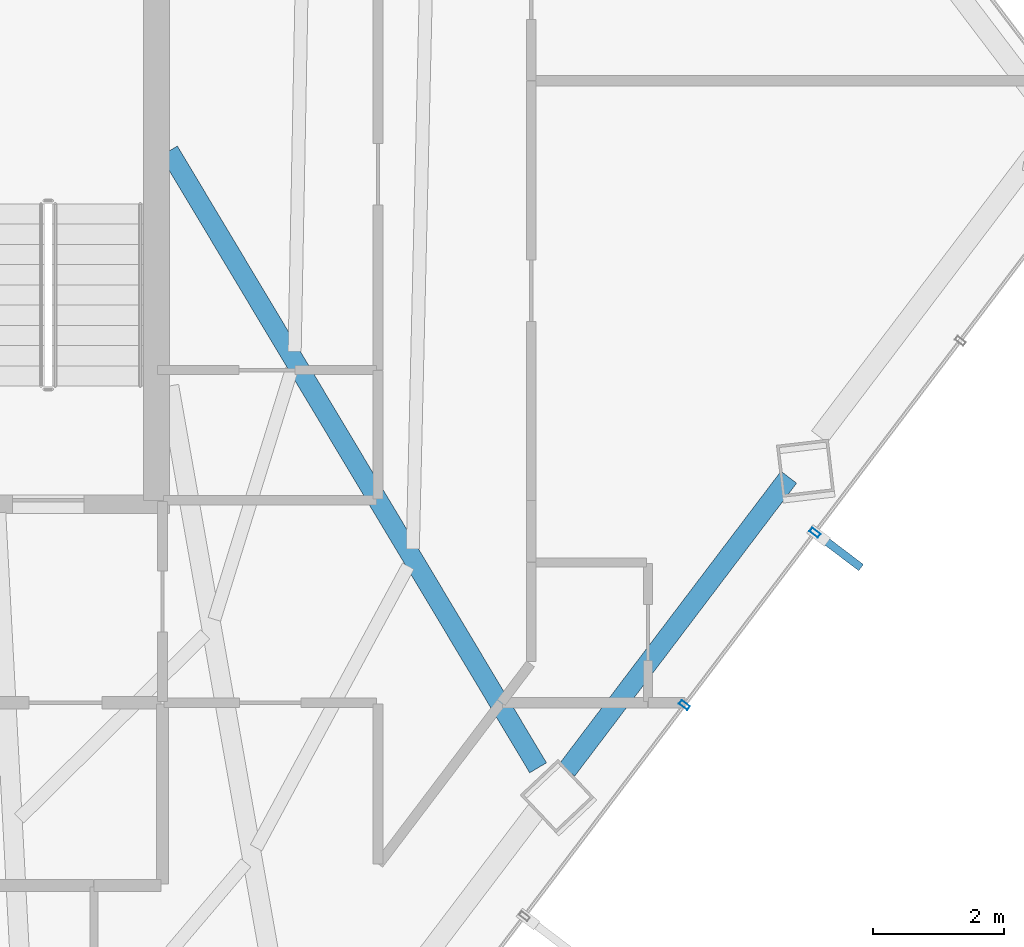
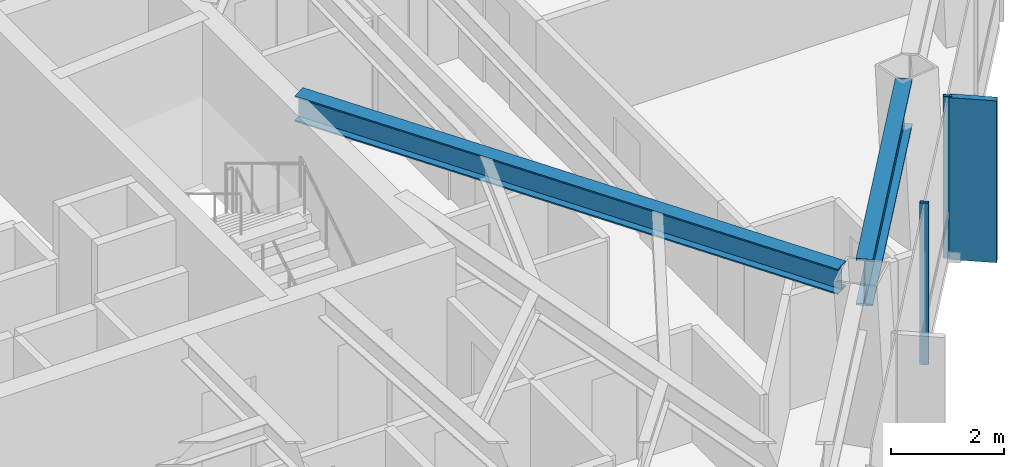
# One storey, part 21 of 30: 3 members, 2 beams, 1 element without a shape of its own.
"""IFC4 building model written with IfcOpenShell, lengths in metres."""

from ifc_helpers import new_model, si_unit, direction, frame, origin, origin_2d, place, context, subcontext, project, spatial, rectangle, hollow_rectangle, i_section, extrude, material, layer, layer_set, material_profile, profile_set, type_object, element, aggregate, save


model = new_model("IFC4")

# Units and contexts
model_context = context("Model", 3, precision=1e-05, world=origin(), true_north=direction((0.0, 1.0)))
body_context = subcontext(model_context, "Body", "Model", "MODEL_VIEW")
ifc_project = project(units=[si_unit("LENGTHUNIT", "METRE"), si_unit("AREAUNIT", "SQUARE_METRE"), si_unit("VOLUMEUNIT", "CUBIC_METRE"), si_unit("PLANEANGLEUNIT", "RADIAN"), si_unit("MASSUNIT", "GRAM", prefix="KILO")], contexts=[model_context])

# Site, building, storey
site_placement = place(None, origin())
site = spatial("IfcSite", under=ifc_project, at=site_placement, CompositionType="ELEMENT")
building_placement = place(site_placement, origin())
building = spatial("IfcBuilding", under=site, at=building_placement, Name="Zarrinselat Tower", CompositionType="ELEMENT")
storey_placement = place(building_placement, frame((0.0, 0.0, 130.89990234375)))
storey = spatial("IfcBuildingStorey", under=building, at=storey_placement, Name="L31", CompositionType="ELEMENT", Elevation=130.89990234375)

# Beams
ifc_material_1 = material(Name="Steel S355J2", Category="steel")
ifc_material_profile_1 = material_profile(ifc_material_1, i_section(OverallWidth=0.300048828125, OverallDepth=0.550048828125, WebThickness=0.014892578125, FlangeThickness=0.029052734375, at=origin_2d()), Name="HEB 550")
ifc_profile_set_1 = profile_set([ifc_material_profile_1], Name="Steel S355J2")
beam_type_1 = type_object("IfcBeamType", Name="BM-HEB550", PredefinedType="BEAM", material=ifc_profile_set_1)
beam_1_placement = place(storey_placement, frame((48.449951171875, 38.60009765625, 3.22509765625), z_axis=(0.513539974611, -0.858065670259, 0.0), x_axis=(0.858065670259, 0.513539974611, 0.0)))
element("IfcBeam", 1, at=beam_1_placement, inside=storey, type_object=beam_type_1, Name="L31 Radial Primary Girder RG13", PredefinedType="BEAM", context=body_context, shape_type="SweptSolid", body=[
    extrude(i_section(OverallWidth=0.300048828125, OverallDepth=0.550048828125, WebThickness=0.014892578125, FlangeThickness=0.029052734375, at=origin_2d()), origin(), (0.0, 0.0, 1.0), 11.010009765625),
])
ifc_material_2 = material(Name="Steel S460M", Category="steel")
ifc_material_profile_2 = material_profile(ifc_material_2, i_section(OverallWidth=0.302001953125, OverallDepth=1.008056640625, WebThickness=0.02099609375, FlangeThickness=0.0400390625, at=origin_2d()), Name="HEM 1000")
ifc_profile_set_2 = profile_set([ifc_material_profile_2], Name="Steel S460M")
beam_type_2 = type_object("IfcBeamType", Name="BM-HEM1000", PredefinedType="BEAM", material=ifc_profile_set_2)
beam_2_placement = place(storey_placement, frame((54.544677734375, 29.1171875, 2.99609375), z_axis=(0.603830134702, 0.797113021112, 0.0), x_axis=(-0.797113021112, 0.603830134702, 0.0)))
element("IfcBeam", 2, at=beam_2_placement, inside=storey, type_object=beam_type_2, Name="L31 Perimeter Spandrel Girder SP13", PredefinedType="BEAM", context=body_context, shape_type="SweptSolid", body=[
    extrude(i_section(OverallWidth=0.302001953125, OverallDepth=1.008056640625, WebThickness=0.02099609375, FlangeThickness=0.0400390625, at=origin_2d()), origin(), (0.0, 0.0, 1.0), 5.629638671875),
])

# Curtain wall, members
ifc_material_3 = material(Name="Extruded Aluminium Alloy EN AW-6063 T6", Category="aluminium")
ifc_layer = layer(ifc_material_3, 0.175048828125)
ifc_layer_set = layer_set([ifc_layer], Name="Extruded Aluminium Alloy EN AW-6063 T6")
curtain_wall_type = type_object("IfcCurtainWallType", Name="CWS-HTL", PredefinedType="NOTDEFINED", material=ifc_layer_set)
curtain_wall_placement = place(storey_placement, origin())
curtain_wall = element("IfcCurtainWall", 3, at=curtain_wall_placement, inside=storey, type_object=curtain_wall_type, Name="L31 Unitised Curtain Wall CW-L31-E05", PredefinedType="NOTDEFINED")
ifc_material_4 = material(Name="Extruded Aluminium Alloy EN AW-6063 T6", Category="aluminium")
ifc_material_profile_3 = material_profile(ifc_material_4, hollow_rectangle(XDim=0.070068359375, YDim=0.159912109375, WallThickness=0.00390625, at=origin_2d()), Name="RHS 160x70x4")
ifc_profile_set_3 = profile_set([ifc_material_profile_3], Name="Extruded Aluminium Alloy EN AW-6063 T6")
member_type_1 = type_object("IfcMemberType", Name="MEM-CW-MUL2", PredefinedType="MULLION", material=ifc_profile_set_3)
member_1_placement = place(storey_placement, frame((56.3447265625, 30.11376953125, 0.0), z_axis=(0.0, 0.0, 1.0), x_axis=(0.603858135777, 0.797091808926, 0.0)))
member_1 = element("IfcMember", 4, at=member_1_placement, type_object=member_type_1, Name="CW-L31-E05 Mullion 4", PredefinedType="MULLION", context=body_context, shape_type="SweptSolid", body=[
    extrude(hollow_rectangle(XDim=0.070068359375, YDim=0.159912109375, WallThickness=0.00390625, at=origin_2d()), origin(), (0.0, 0.0, 1.0), 3.5),
])
member_2_placement = place(storey_placement, frame((58.34521484375, 32.75439453125, 0.0), z_axis=(0.0, 0.0, 1.0), x_axis=(0.603858135777, 0.797091808926, 0.0)))
member_2 = element("IfcMember", 5, at=member_2_placement, type_object=member_type_1, Name="CW-L31-E05 Mullion 5", PredefinedType="MULLION", context=body_context, shape_type="SweptSolid", body=[
    extrude(hollow_rectangle(XDim=0.070068359375, YDim=0.159912109375, WallThickness=0.00390625, at=origin_2d()), origin(), (0.0, 0.0, 1.0), 3.5),
])
ifc_material_5 = material(Name="Honed Cream Travertine Stone", Category="masonry")
ifc_material_profile_4 = material_profile(ifc_material_5, rectangle(XDim=0.1201171875, YDim=0.85009765625, at=origin_2d()), Name="FIN 850x120")
ifc_profile_set_4 = profile_set([ifc_material_profile_4], Name="Honed Cream Travertine Stone")
member_type_2 = type_object("IfcMemberType", Name="MEM-STONE-FIN", PredefinedType="USERDEFINED", material=ifc_profile_set_4)
member_3_placement = place(storey_placement, frame((58.7119140625, 32.4765625, 0.0), z_axis=(0.0, 0.0, 1.0), x_axis=(-0.603858135777, -0.797091808926, 0.0)))
member_3 = element("IfcMember", 6, at=member_3_placement, type_object=member_type_2, Name="L31 Stone Shading Fin CW-L31-E05-05", ObjectType="FIN", PredefinedType="USERDEFINED", context=body_context, shape_type="SweptSolid", body=[
    extrude(rectangle(XDim=0.1201171875, YDim=0.85009765625, at=origin_2d()), origin(), (0.0, 0.0, 1.0), 3.5),
])
aggregate(curtain_wall, [member_1, member_2, member_3])

save(model, "model.ifc")
